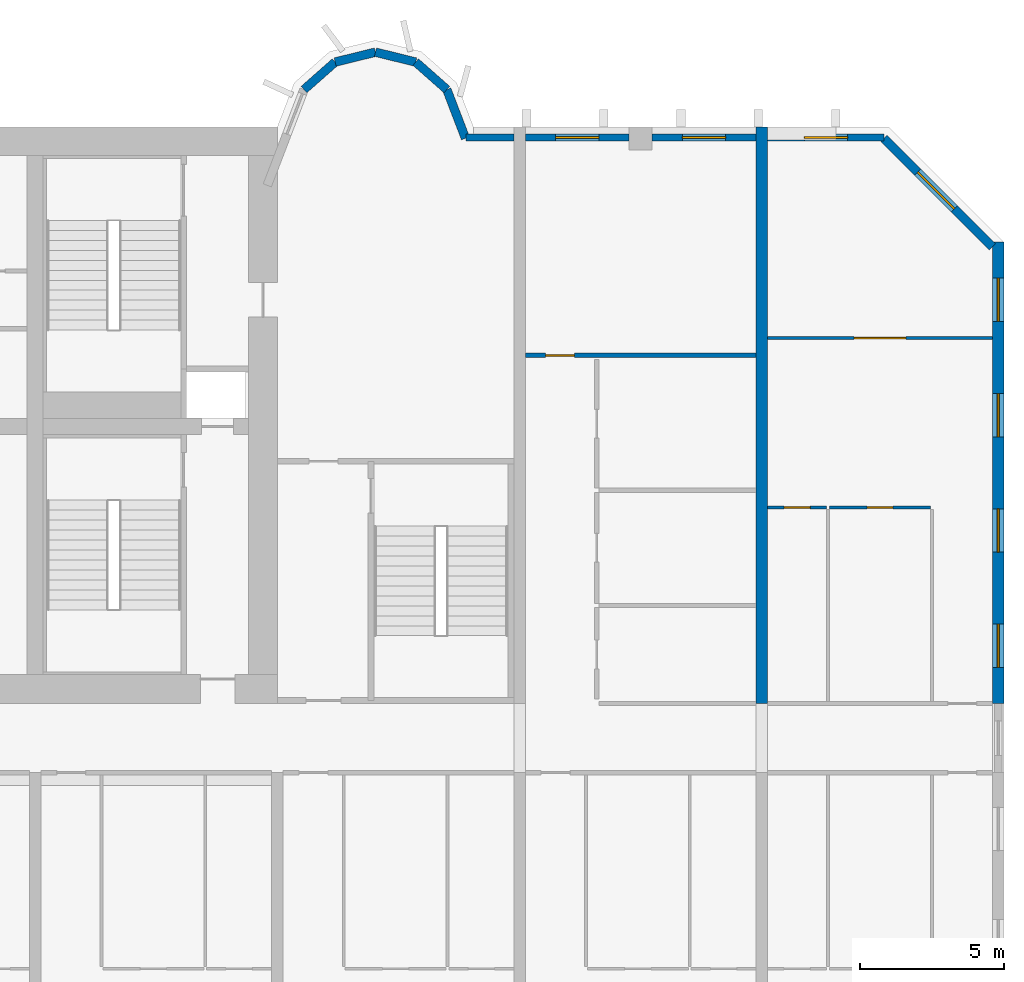
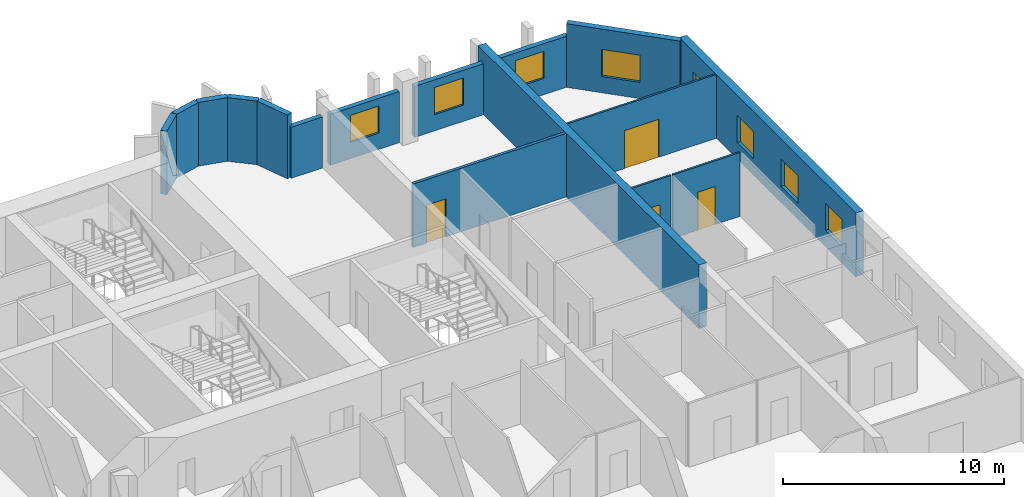
# One storey, part 11 of 15: 16 walls, 8 windows, 4 doors, 12 openings.
"""IFC4 building model written with IfcOpenShell, lengths in metres."""

from ifc_helpers import new_model, si_unit, direction, frame, frame_2d, origin, place, context, subcontext, project, spatial, rectangle, extrude, source, transform, mapped, material, layer, layer_set, type_object, element, fill, save


model = new_model("IFC4")

# Units and contexts
model_context = context("Model", 3, precision=1e-05, world=origin(), true_north=direction((0.0, 1.0)))
body_context = subcontext(model_context, "Body", "Model", "MODEL_VIEW")
ifc_project = project(units=[si_unit("LENGTHUNIT", "METRE"), si_unit("AREAUNIT", "SQUARE_METRE"), si_unit("VOLUMEUNIT", "CUBIC_METRE"), si_unit("PLANEANGLEUNIT", "RADIAN"), si_unit("MASSUNIT", "GRAM", prefix="KILO")], contexts=[model_context])

# Site, building, storey
site_placement = place(None, origin())
site = spatial("IfcSite", under=ifc_project, at=site_placement, CompositionType="ELEMENT")
building_placement = place(site_placement, origin())
building = spatial("IfcBuilding", under=site, at=building_placement, Name="Vanashikhar Sky Hotel", CompositionType="ELEMENT")
storey_placement = place(building_placement, frame((0.0, 0.0, 62.0)))
storey = spatial("IfcBuildingStorey", under=building, at=storey_placement, Name="L14", CompositionType="ELEMENT", Elevation=62.0)

# Wall, openings, windows
ifc_material_1 = material(Name="Concrete M80", Category="concrete")
ifc_layer_1 = layer(ifc_material_1, 0.39990234375)
ifc_layer_set_1 = layer_set([ifc_layer_1], Name="RC shear wall 400 Concrete M80")
wall_type_1 = type_object("IfcWallType", Name="RC shear wall 400 Concrete M80", PredefinedType="SHEAR", material=ifc_layer_set_1)
shared_shape_1 = source(origin(), body_context, "Body", "SweptSolid", [
    extrude(rectangle(XDim=16.0, YDim=0.39990234375, at=frame_2d((8.0, 0.0))), origin(), (0.0, 0.0, 1.0), 3.52001953125),
])
wall_1_placement = place(storey_placement, frame((100.60009765625, 22.0, 0.0), z_axis=(0.0, 0.0, 1.0), x_axis=(0.0, 1.0, 0.0)))
wall_1 = element("IfcWall", 1, at=wall_1_placement, inside=storey, type_object=wall_type_1, Name="CW-L14-XW13-2", PredefinedType="SHEAR", context=body_context, shape_type="MappedRepresentation", body=[
    mapped(shared_shape_1, transform((0.0, 0.0, 0.0), scale=1.0)),
])
shared_shape_2 = source(origin(), body_context, "Body", "SweptSolid", [
    extrude(rectangle(XDim=1.5, YDim=1.5, at=frame_2d((0.75, 0.75))), frame((0.0, 0.2099609375, 0.0), z_axis=(0.0, -1.0, 0.0), x_axis=(1.0, 0.0, 0.0)), (0.0, 0.0, 1.0), 0.419921875),
])
opening_1_placement = place(wall_1_placement, frame((1.25, 0.0, 0.89990234375)))
opening_1 = element("IfcOpeningElement", 2, at=opening_1_placement, cuts=wall_1, Name="Opening WN-1", PredefinedType="OPENING", context=body_context, shape_type="MappedRepresentation", body=[
    mapped(shared_shape_2, transform((0.0, 0.0, 0.0), scale=1.0)),
])
opening_2_placement = place(wall_1_placement, frame((5.25, 0.0, 0.89990234375)))
opening_2 = element("IfcOpeningElement", 3, at=opening_2_placement, cuts=wall_1, Name="Opening WN-1", PredefinedType="OPENING", context=body_context, shape_type="MappedRepresentation", body=[
    mapped(shared_shape_2, transform((0.0, 0.0, 0.0), scale=1.0)),
])
opening_3_placement = place(wall_1_placement, frame((9.25, 0.0, 0.89990234375)))
opening_3 = element("IfcOpeningElement", 4, at=opening_3_placement, cuts=wall_1, Name="Opening WN-1", PredefinedType="OPENING", context=body_context, shape_type="MappedRepresentation", body=[
    mapped(shared_shape_2, transform((0.0, 0.0, 0.0), scale=1.0)),
])
opening_4_placement = place(wall_1_placement, frame((13.25, 0.0, 0.89990234375)))
opening_4 = element("IfcOpeningElement", 5, at=opening_4_placement, cuts=wall_1, Name="Opening WN-1", PredefinedType="OPENING", context=body_context, shape_type="MappedRepresentation", body=[
    mapped(shared_shape_2, transform((0.0, 0.0, 0.0), scale=1.0)),
])
ifc_material_2 = material(Name="Glass", Category="glass")
window_type_1 = type_object("IfcWindowType", Name="Window 1500 x 1500", PartitioningType="SINGLE_PANEL", PredefinedType="WINDOW", material=ifc_material_2)
shared_shape_3 = source(origin(), body_context, "Body", "SweptSolid", [
    extrude(rectangle(XDim=1.5, YDim=1.5, at=frame_2d((0.75, 0.75))), frame((0.0, 0.030029296875, 0.0), z_axis=(0.0, -1.0, 0.0), x_axis=(1.0, 0.0, 0.0)), (0.0, 0.0, 1.0), 0.06005859375),
])
window_1_placement = place(opening_1_placement, origin())
window_1 = element("IfcWindow", 6, at=window_1_placement, inside=storey, type_object=window_type_1, Name="Window WN-1", OverallHeight=1.5, OverallWidth=1.5, PartitioningType="SINGLE_PANEL", PredefinedType="WINDOW", context=body_context, shape_type="MappedRepresentation", body=[
    mapped(shared_shape_3, transform((0.0, 0.0, 0.0), scale=1.0)),
])
fill(opening_1, window_1)
window_2_placement = place(opening_2_placement, origin())
window_2 = element("IfcWindow", 7, at=window_2_placement, inside=storey, type_object=window_type_1, Name="Window WN-1", OverallHeight=1.5, OverallWidth=1.5, PartitioningType="SINGLE_PANEL", PredefinedType="WINDOW", context=body_context, shape_type="MappedRepresentation", body=[
    mapped(shared_shape_3, transform((0.0, 0.0, 0.0), scale=1.0)),
])
fill(opening_2, window_2)
window_3_placement = place(opening_3_placement, origin())
window_3 = element("IfcWindow", 8, at=window_3_placement, inside=storey, type_object=window_type_1, Name="Window WN-1", OverallHeight=1.5, OverallWidth=1.5, PartitioningType="SINGLE_PANEL", PredefinedType="WINDOW", context=body_context, shape_type="MappedRepresentation", body=[
    mapped(shared_shape_3, transform((0.0, 0.0, 0.0), scale=1.0)),
])
fill(opening_3, window_3)
window_4_placement = place(opening_4_placement, origin())
window_4 = element("IfcWindow", 9, at=window_4_placement, inside=storey, type_object=window_type_1, Name="Window WN-1", OverallHeight=1.5, OverallWidth=1.5, PartitioningType="SINGLE_PANEL", PredefinedType="WINDOW", context=body_context, shape_type="MappedRepresentation", body=[
    mapped(shared_shape_3, transform((0.0, 0.0, 0.0), scale=1.0)),
])
fill(opening_4, window_4)

# Wall
shared_shape_4 = source(origin(), body_context, "Body", "SweptSolid", [
    extrude(rectangle(XDim=20.0, YDim=0.39990234375, at=frame_2d((10.0, 0.0))), origin(), (0.0, 0.0, 1.0), 3.52001953125),
])
wall_2_placement = place(storey_placement, frame((92.39990234375, 22.0, 0.0), z_axis=(0.0, 0.0, 1.0), x_axis=(0.0, 1.0, 0.0)))
element("IfcWall", 10, at=wall_2_placement, inside=storey, type_object=wall_type_1, Name="CW-L14-XW12-2", PredefinedType="SHEAR", context=body_context, shape_type="MappedRepresentation", body=[
    mapped(shared_shape_4, transform((0.0, 0.0, 0.0), scale=1.0)),
])

# Wall, opening, window
ifc_material_3 = material(Name="Concrete M50", Category="concrete")
ifc_layer_2 = layer(ifc_material_3, 0.300048828125)
ifc_layer_set_2 = layer_set([ifc_layer_2], Name="Lobe wall 300")
wall_type_2 = type_object("IfcWallType", Name="Lobe wall 300", PredefinedType="SOLIDWALL", material=ifc_layer_set_2)
shared_shape_5 = source(origin(), body_context, "Body", "SweptSolid", [
    extrude(rectangle(XDim=5.32568359375, YDim=0.300048828125, at=frame_2d((2.662841796875, 0.0))), origin(), (0.0, 0.0, 1.0), 3.52001953125),
])
wall_3_placement = place(storey_placement, frame((100.39990234375, 37.834228515625, 0.0), z_axis=(0.0, 0.0, 1.0), x_axis=(-0.707083859269, 0.707129702361, 0.0)))
wall_3 = element("IfcWall", 11, at=wall_3_placement, inside=storey, type_object=wall_type_2, Name="Corner wall", PredefinedType="SOLIDWALL", context=body_context, shape_type="MappedRepresentation", body=[
    mapped(shared_shape_5, transform((0.0, 0.0, 0.0), scale=1.0)),
])
shared_shape_6 = source(origin(), body_context, "Body", "SweptSolid", [
    extrude(rectangle(XDim=1.800048828125, YDim=1.5, at=frame_2d((0.89990234375, 0.75))), frame((0.0, 0.16015625, 0.0), z_axis=(0.0, -1.0, 0.0), x_axis=(1.0, 0.0, 0.0)), (0.0, 0.0, 1.0), 0.320068359375),
])
opening_5_placement = place(wall_3_placement, frame((1.871337890625, 0.0, 0.89990234375)))
opening_5 = element("IfcOpeningElement", 12, at=opening_5_placement, cuts=wall_3, Name="Opening WN-4", PredefinedType="OPENING", context=body_context, shape_type="MappedRepresentation", body=[
    mapped(shared_shape_6, transform((0.0, 0.0, 0.0), scale=1.0)),
])
window_type_2 = type_object("IfcWindowType", Name="Corner window 1800 x 1500", PartitioningType="SINGLE_PANEL", PredefinedType="WINDOW", material=ifc_material_2)
shared_shape_7 = source(origin(), body_context, "Body", "SweptSolid", [
    extrude(rectangle(XDim=1.800048828125, YDim=1.5, at=frame_2d((0.89990234375, 0.75))), frame((0.0, 0.030029296875, 0.0), z_axis=(0.0, -1.0, 0.0), x_axis=(1.0, 0.0, 0.0)), (0.0, 0.0, 1.0), 0.06005859375),
])
window_5_placement = place(opening_5_placement, origin())
window_5 = element("IfcWindow", 13, at=window_5_placement, inside=storey, type_object=window_type_2, Name="Window WN-4", OverallHeight=1.5, OverallWidth=1.800048828125, PartitioningType="SINGLE_PANEL", PredefinedType="WINDOW", context=body_context, shape_type="MappedRepresentation", body=[
    mapped(shared_shape_7, transform((0.0, 0.0, 0.0), scale=1.0)),
])
fill(opening_5, window_5)

# Walls
shared_shape_8 = source(origin(), body_context, "Body", "SweptSolid", [
    extrude(rectangle(XDim=1.438720703125, YDim=0.300048828125, at=frame_2d((0.71923828125, 0.0))), origin(), (0.0, 0.0, 1.0), 3.52001953125),
])
for number, where, z_axis, x_axis, name in (
    (14, (80.397216796875, 44.2451171875, 0.0), (0.0, 0.0, 1.0), (-0.971161932466, 0.238420848351, 0.0), "Lobe wall"),
    (15, (79.0, 44.588134765625, 0.0), (0.0, 0.0, 1.0), (-0.971161932466, -0.238420848351, 0.0), "Lobe wall"),
):
    element("IfcWall", number, at=place(storey_placement, frame(where, z_axis=z_axis, x_axis=x_axis)), inside=storey, type_object=wall_type_2, Name=name, PredefinedType="SOLIDWALL", context=body_context, shape_type="MappedRepresentation", body=[
        mapped(shared_shape_8, transform((0.0, 0.0, 0.0), scale=1.0)),
    ])
shared_shape_9 = source(origin(), body_context, "Body", "SweptSolid", [
    extrude(rectangle(XDim=1.43994140625, YDim=0.300048828125, at=frame_2d((0.719970703125, 0.0))), origin(), (0.0, 0.0, 1.0), 3.52001953125),
])
for number, where, z_axis, x_axis, name in (
    (16, (81.4765625, 43.2919921875, 0.0), (0.0, 0.0, 1.0), (-0.74957555648, 0.661918790432, 0.0), "Lobe wall"),
    (17, (77.602783203125, 44.2451171875, 0.0), (0.0, 0.0, 1.0), (-0.74957555648, -0.661918790432, 0.0), "Lobe wall"),
):
    element("IfcWall", number, at=place(storey_placement, frame(where, z_axis=z_axis, x_axis=x_axis)), inside=storey, type_object=wall_type_2, Name=name, PredefinedType="SOLIDWALL", context=body_context, shape_type="MappedRepresentation", body=[
        mapped(shared_shape_9, transform((0.0, 0.0, 0.0), scale=1.0)),
    ])
shared_shape_10 = source(origin(), body_context, "Body", "SweptSolid", [
    extrude(rectangle(XDim=1.81201171875, YDim=0.300048828125, at=frame_2d((0.906005859375, 0.0))), origin(), (0.0, 0.0, 1.0), 3.52001953125),
])
wall_4_placement = place(storey_placement, frame((82.125, 41.60009765625, 0.0), z_axis=(0.0, 0.0, 1.0), x_axis=(-0.357877270961, 0.93376863244, 0.0)))
element("IfcWall", 18, at=wall_4_placement, inside=storey, type_object=wall_type_2, Name="Lobe wall", PredefinedType="SOLIDWALL", context=body_context, shape_type="MappedRepresentation", body=[
    mapped(shared_shape_10, transform((0.0, 0.0, 0.0), scale=1.0)),
])
ifc_layer_3 = layer(ifc_material_3, 0.25)
ifc_layer_set_3 = layer_set([ifc_layer_3], Name="Rear and end board-marked wall 250")
wall_type_3 = type_object("IfcWallType", Name="Rear and end board-marked wall 250", PredefinedType="SOLIDWALL", material=ifc_layer_set_3)
shared_shape_11 = source(origin(), body_context, "Body", "SweptSolid", [
    extrude(rectangle(XDim=1.657958984375, YDim=0.25, at=frame_2d((0.8291015625, 0.0))), origin(), (0.0, 0.0, 1.0), 2.820068359375),
])
wall_5_placement = place(storey_placement, frame((83.800048828125, 41.625, 0.0), z_axis=(0.0, 0.0, 1.0), x_axis=(-1.0, 0.0, 0.0)))
element("IfcWall", 19, at=wall_5_placement, inside=storey, type_object=wall_type_3, Name="Rear board-marked wall", PredefinedType="SOLIDWALL", context=body_context, shape_type="MappedRepresentation", body=[
    mapped(shared_shape_11, transform((0.0, 0.0, 0.0), scale=1.0)),
])

# Wall, opening, window
shared_shape_12 = source(origin(), body_context, "Body", "SweptSolid", [
    extrude(rectangle(XDim=3.60009765625, YDim=0.25, at=frame_2d((1.800048828125, 0.0))), origin(), (0.0, 0.0, 1.0), 2.820068359375),
])
wall_6_placement = place(storey_placement, frame((87.800048828125, 41.625, 0.0), z_axis=(0.0, 0.0, 1.0), x_axis=(-1.0, 0.0, 0.0)))
wall_6 = element("IfcWall", 20, at=wall_6_placement, inside=storey, type_object=wall_type_3, Name="Rear board-marked wall", PredefinedType="SOLIDWALL", context=body_context, shape_type="MappedRepresentation", body=[
    mapped(shared_shape_12, transform((0.0, 0.0, 0.0), scale=1.0)),
])
shared_shape_13 = source(origin(), body_context, "Body", "SweptSolid", [
    extrude(rectangle(XDim=1.5, YDim=1.5, at=frame_2d((0.75, 0.75))), frame((0.0, 0.135009765625, 0.0), z_axis=(0.0, -1.0, 0.0), x_axis=(1.0, 0.0, 0.0)), (0.0, 0.0, 1.0), 0.27001953125),
])
opening_6_placement = place(wall_6_placement, frame((1.050048828125, 0.0, 0.89990234375)))
opening_6 = element("IfcOpeningElement", 21, at=opening_6_placement, cuts=wall_6, Name="Opening WN-1", PredefinedType="OPENING", context=body_context, shape_type="MappedRepresentation", body=[
    mapped(shared_shape_13, transform((0.0, 0.0, 0.0), scale=1.0)),
])
window_6_placement = place(opening_6_placement, origin())
window_6 = element("IfcWindow", 22, at=window_6_placement, inside=storey, type_object=window_type_1, Name="Window WN-1", OverallHeight=1.5, OverallWidth=1.5, PartitioningType="SINGLE_PANEL", PredefinedType="WINDOW", context=body_context, shape_type="MappedRepresentation", body=[
    mapped(shared_shape_3, transform((0.0, 0.0, 0.0), scale=1.0)),
])
fill(opening_6, window_6)

shared_shape_14 = source(origin(), body_context, "Body", "SweptSolid", [
    extrude(rectangle(XDim=3.599853515625, YDim=0.25, at=frame_2d((1.7998046875, 0.0))), origin(), (0.0, 0.0, 1.0), 2.820068359375),
])
wall_7_placement = place(storey_placement, frame((92.199951171875, 41.625, 0.0), z_axis=(0.0, 0.0, 1.0), x_axis=(-1.0, 0.0, 0.0)))
wall_7 = element("IfcWall", 23, at=wall_7_placement, inside=storey, type_object=wall_type_3, Name="Rear board-marked wall", PredefinedType="SOLIDWALL", context=body_context, shape_type="MappedRepresentation", body=[
    mapped(shared_shape_14, transform((0.0, 0.0, 0.0), scale=1.0)),
])
opening_7_placement = place(wall_7_placement, frame((1.050048828125, 0.0, 0.89990234375)))
opening_7 = element("IfcOpeningElement", 24, at=opening_7_placement, cuts=wall_7, Name="Opening WN-1", PredefinedType="OPENING", context=body_context, shape_type="MappedRepresentation", body=[
    mapped(shared_shape_13, transform((0.0, 0.0, 0.0), scale=1.0)),
])
window_7_placement = place(opening_7_placement, origin())
window_7 = element("IfcWindow", 25, at=window_7_placement, inside=storey, type_object=window_type_1, Name="Window WN-1", OverallHeight=1.5, OverallWidth=1.5, PartitioningType="SINGLE_PANEL", PredefinedType="WINDOW", context=body_context, shape_type="MappedRepresentation", body=[
    mapped(shared_shape_3, transform((0.0, 0.0, 0.0), scale=1.0)),
])
fill(opening_7, window_7)

shared_shape_15 = source(origin(), body_context, "Body", "SweptSolid", [
    extrude(rectangle(XDim=4.044677734375, YDim=0.25, at=frame_2d((2.0224609375, 0.0))), origin(), (0.0, 0.0, 1.0), 2.820068359375),
])
wall_8_placement = place(storey_placement, frame((96.644775390625, 41.625, 0.0), z_axis=(0.0, 0.0, 1.0), x_axis=(-1.0, 0.0, 0.0)))
wall_8 = element("IfcWall", 26, at=wall_8_placement, inside=storey, type_object=wall_type_3, Name="Rear board-marked wall", PredefinedType="SOLIDWALL", context=body_context, shape_type="MappedRepresentation", body=[
    mapped(shared_shape_15, transform((0.0, 0.0, 0.0), scale=1.0)),
])
opening_8_placement = place(wall_8_placement, frame((1.272216796875, 0.0, 0.89990234375)))
opening_8 = element("IfcOpeningElement", 27, at=opening_8_placement, cuts=wall_8, Name="Opening WN-1", PredefinedType="OPENING", context=body_context, shape_type="MappedRepresentation", body=[
    mapped(shared_shape_13, transform((0.0, 0.0, 0.0), scale=1.0)),
])
window_8_placement = place(opening_8_placement, origin())
window_8 = element("IfcWindow", 28, at=window_8_placement, inside=storey, type_object=window_type_1, Name="Window WN-1", OverallHeight=1.5, OverallWidth=1.5, PartitioningType="SINGLE_PANEL", PredefinedType="WINDOW", context=body_context, shape_type="MappedRepresentation", body=[
    mapped(shared_shape_3, transform((0.0, 0.0, 0.0), scale=1.0)),
])
fill(opening_8, window_8)

# Wall, opening, door
ifc_material_4 = material(Name="Gypsum plasterboard partition")
ifc_layer_4 = layer(ifc_material_4, 0.10009765625)
ifc_layer_set_4 = layer_set([ifc_layer_4], Name="Wet room partition 100")
wall_type_4 = type_object("IfcWallType", Name="Wet room partition 100", PredefinedType="PARTITIONING", material=ifc_layer_set_4)
shared_shape_16 = source(origin(), body_context, "Body", "SweptSolid", [
    extrude(rectangle(XDim=2.0498046875, YDim=0.10009765625, at=frame_2d((1.02490234375, 0.0))), origin(), (0.0, 0.0, 1.0), 3.52001953125),
])
wall_9_placement = place(storey_placement, frame((92.60009765625, 28.800048828125, 0.0), z_axis=(0.0, 0.0, 1.0), x_axis=(1.0, 0.0, 0.0)))
wall_9 = element("IfcWall", 29, at=wall_9_placement, inside=storey, type_object=wall_type_4, Name="W-L14-PW093", PredefinedType="PARTITIONING", context=body_context, shape_type="MappedRepresentation", body=[
    mapped(shared_shape_16, transform((0.0, 0.0, 0.0), scale=1.0)),
])
shared_shape_17 = source(origin(), body_context, "Body", "SweptSolid", [
    extrude(rectangle(XDim=0.89990234375, YDim=2.10009765625, at=frame_2d((0.449951171875, 1.050048828125))), frame((0.0, 0.06005859375, 0.0), z_axis=(0.0, -1.0, 0.0), x_axis=(1.0, 0.0, 0.0)), (0.0, 0.0, 1.0), 0.1201171875),
])
opening_9_placement = place(wall_9_placement, frame((0.574951171875, 0.0, 0.0)))
opening_9 = element("IfcOpeningElement", 30, at=opening_9_placement, cuts=wall_9, Name="Opening D-02", PredefinedType="OPENING", context=body_context, shape_type="MappedRepresentation", body=[
    mapped(shared_shape_17, transform((0.0, 0.0, 0.0), scale=1.0)),
])
ifc_material_5 = material(Name="Timber door", Category="wood")
door_type_1 = type_object("IfcDoorType", Name="Internal door 900", OperationType="NOTDEFINED", PredefinedType="DOOR", material=ifc_material_5)
shared_shape_18 = source(origin(), body_context, "Body", "SweptSolid", [
    extrude(rectangle(XDim=0.89990234375, YDim=2.10009765625, at=frame_2d((0.449951171875, 1.050048828125))), frame((0.0, 0.02490234375, 0.0), z_axis=(0.0, -1.0, 0.0), x_axis=(1.0, 0.0, 0.0)), (0.0, 0.0, 1.0), 0.050048828125),
])
door_1_placement = place(opening_9_placement, origin())
door_1 = element("IfcDoor", 31, at=door_1_placement, inside=storey, type_object=door_type_1, Name="D-L14-056", OperationType="SINGLE_SWING_RIGHT", OverallHeight=2.10009765625, OverallWidth=0.89990234375, PredefinedType="DOOR", context=body_context, shape_type="MappedRepresentation", body=[
    mapped(shared_shape_18, transform((0.0, 0.0, 0.0), scale=1.0)),
])
fill(opening_9, door_1)

shared_shape_19 = source(origin(), body_context, "Body", "SweptSolid", [
    extrude(rectangle(XDim=3.5, YDim=0.10009765625, at=frame_2d((1.75, 0.0))), origin(), (0.0, 0.0, 1.0), 3.52001953125),
])
wall_10_placement = place(storey_placement, frame((94.75, 28.800048828125, 0.0), z_axis=(0.0, 0.0, 1.0), x_axis=(1.0, 0.0, 0.0)))
wall_10 = element("IfcWall", 32, at=wall_10_placement, inside=storey, type_object=wall_type_4, Name="W-L14-PW092", PredefinedType="PARTITIONING", context=body_context, shape_type="MappedRepresentation", body=[
    mapped(shared_shape_19, transform((0.0, 0.0, 0.0), scale=1.0)),
])
opening_10_placement = place(wall_10_placement, frame((1.300048828125, 0.0, 0.0)))
opening_10 = element("IfcOpeningElement", 33, at=opening_10_placement, cuts=wall_10, Name="Opening D-02", PredefinedType="OPENING", context=body_context, shape_type="MappedRepresentation", body=[
    mapped(shared_shape_17, transform((0.0, 0.0, 0.0), scale=1.0)),
])
door_2_placement = place(opening_10_placement, origin())
door_2 = element("IfcDoor", 34, at=door_2_placement, inside=storey, type_object=door_type_1, Name="D-L14-055", OperationType="SINGLE_SWING_RIGHT", OverallHeight=2.10009765625, OverallWidth=0.89990234375, PredefinedType="DOOR", context=body_context, shape_type="MappedRepresentation", body=[
    mapped(shared_shape_18, transform((0.0, 0.0, 0.0), scale=1.0)),
])
fill(opening_10, door_2)

ifc_layer_5 = layer(ifc_material_4, 0.14990234375)
ifc_layer_set_5 = layer_set([ifc_layer_5], Name="Corridor and demising partition 150")
wall_type_5 = type_object("IfcWallType", Name="Corridor and demising partition 150", PredefinedType="PARTITIONING", material=ifc_layer_set_5)
shared_shape_20 = source(origin(), body_context, "Body", "SweptSolid", [
    extrude(rectangle(XDim=8.0, YDim=0.14990234375, at=frame_2d((4.0, 0.0))), origin(), (0.0, 0.0, 1.0), 3.52001953125),
])
wall_11_placement = place(storey_placement, frame((84.199951171875, 34.074951171875, 0.0), z_axis=(0.0, 0.0, 1.0), x_axis=(1.0, 0.0, 0.0)))
wall_11 = element("IfcWall", 35, at=wall_11_placement, inside=storey, type_object=wall_type_5, Name="W-L14-PW089", PredefinedType="PARTITIONING", context=body_context, shape_type="MappedRepresentation", body=[
    mapped(shared_shape_20, transform((0.0, 0.0, 0.0), scale=1.0)),
])
shared_shape_21 = source(origin(), body_context, "Body", "SweptSolid", [
    extrude(rectangle(XDim=1.0, YDim=2.10009765625, at=frame_2d((0.5, 1.050048828125))), frame((0.0, 0.0849609375, 0.0), z_axis=(0.0, -1.0, 0.0), x_axis=(1.0, 0.0, 0.0)), (0.0, 0.0, 1.0), 0.169921875),
])
opening_11_placement = place(wall_11_placement, frame((0.699951171875, 0.0, 0.0)))
opening_11 = element("IfcOpeningElement", 36, at=opening_11_placement, cuts=wall_11, Name="Opening D-01", PredefinedType="OPENING", context=body_context, shape_type="MappedRepresentation", body=[
    mapped(shared_shape_21, transform((0.0, 0.0, 0.0), scale=1.0)),
])
ifc_material_6 = material(Name="Timber fire door", Category="wood")
door_type_2 = type_object("IfcDoorType", Name="Guest entry door 1000 FD30S", OperationType="NOTDEFINED", PredefinedType="DOOR", material=ifc_material_6)
shared_shape_22 = source(origin(), body_context, "Body", "SweptSolid", [
    extrude(rectangle(XDim=1.0, YDim=2.10009765625, at=frame_2d((0.5, 1.050048828125))), frame((0.0, 0.02490234375, 0.0), z_axis=(0.0, -1.0, 0.0), x_axis=(1.0, 0.0, 0.0)), (0.0, 0.0, 1.0), 0.050048828125),
])
door_3_placement = place(opening_11_placement, origin())
door_3 = element("IfcDoor", 37, at=door_3_placement, inside=storey, type_object=door_type_2, Name="D-L14-054", OperationType="SINGLE_SWING_LEFT", OverallHeight=2.10009765625, OverallWidth=1.0, PredefinedType="DOOR", context=body_context, shape_type="MappedRepresentation", body=[
    mapped(shared_shape_22, transform((0.0, 0.0, 0.0), scale=1.0)),
])
fill(opening_11, door_3)

shared_shape_23 = source(origin(), body_context, "Body", "SweptSolid", [
    extrude(rectangle(XDim=7.7998046875, YDim=0.10009765625, at=frame_2d((3.89990234375, 0.0))), origin(), (0.0, 0.0, 1.0), 3.52001953125),
])
wall_12_placement = place(storey_placement, frame((92.60009765625, 34.672119140625, 0.0), z_axis=(0.0, 0.0, 1.0), x_axis=(1.0, 0.0, 0.0)))
wall_12 = element("IfcWall", 38, at=wall_12_placement, inside=storey, type_object=wall_type_4, Name="W-L14-PW094", PredefinedType="PARTITIONING", context=body_context, shape_type="MappedRepresentation", body=[
    mapped(shared_shape_23, transform((0.0, 0.0, 0.0), scale=1.0)),
])
shared_shape_24 = source(origin(), body_context, "Body", "SweptSolid", [
    extrude(rectangle(XDim=1.800048828125, YDim=2.10009765625, at=frame_2d((0.89990234375, 1.050048828125))), frame((0.0, 0.06005859375, 0.0), z_axis=(0.0, -1.0, 0.0), x_axis=(1.0, 0.0, 0.0)), (0.0, 0.0, 1.0), 0.1201171875),
])
opening_12_placement = place(wall_12_placement, frame((3.0, 0.0, 0.0)))
opening_12 = element("IfcOpeningElement", 39, at=opening_12_placement, cuts=wall_12, Name="Opening D-08", PredefinedType="OPENING", context=body_context, shape_type="MappedRepresentation", body=[
    mapped(shared_shape_24, transform((0.0, 0.0, 0.0), scale=1.0)),
])
door_type_3 = type_object("IfcDoorType", Name="Double leaf door 1800", OperationType="NOTDEFINED", PredefinedType="DOOR", material=ifc_material_5)
shared_shape_25 = source(origin(), body_context, "Body", "SweptSolid", [
    extrude(rectangle(XDim=1.800048828125, YDim=2.10009765625, at=frame_2d((0.89990234375, 1.050048828125))), frame((0.0, 0.02490234375, 0.0), z_axis=(0.0, -1.0, 0.0), x_axis=(1.0, 0.0, 0.0)), (0.0, 0.0, 1.0), 0.050048828125),
])
door_4_placement = place(opening_12_placement, origin())
door_4 = element("IfcDoor", 40, at=door_4_placement, inside=storey, type_object=door_type_3, Name="D-L14-057", OperationType="DOUBLE_DOOR_SINGLE_SWING", OverallHeight=2.10009765625, OverallWidth=1.800048828125, PredefinedType="DOOR", context=body_context, shape_type="MappedRepresentation", body=[
    mapped(shared_shape_25, transform((0.0, 0.0, 0.0), scale=1.0)),
])
fill(opening_12, door_4)

save(model, "model.ifc")
